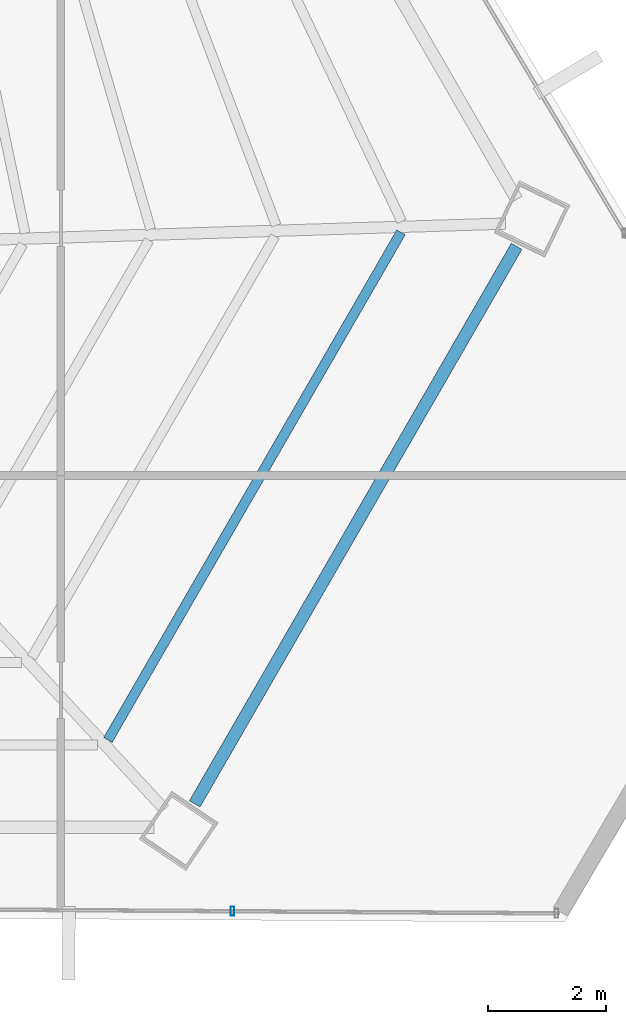
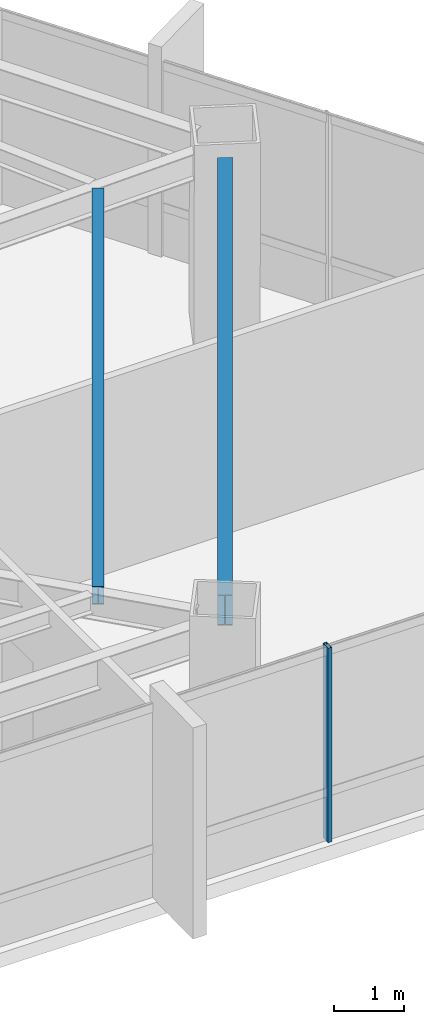
# One storey, part 18 of 41: 2 beams, 1 member, 1 element without a shape of its own.
"""IFC4 building model written with IfcOpenShell, lengths in metres."""

from ifc_helpers import new_model, si_unit, direction, frame, origin, origin_2d, place, context, subcontext, project, spatial, hollow_rectangle, i_section, extrude, source, transform, mapped, material, material_profile, profile_set, type_object, type_shapes, element, aggregate, save


model = new_model("IFC4")

# Units and contexts
model_context = context("Model", 3, precision=1e-05, world=origin(), true_north=direction((0.0, 1.0)))
body_context = subcontext(model_context, "Body", "Model", "MODEL_VIEW")
ifc_project = project(units=[si_unit("LENGTHUNIT", "METRE"), si_unit("AREAUNIT", "SQUARE_METRE"), si_unit("VOLUMEUNIT", "CUBIC_METRE"), si_unit("PLANEANGLEUNIT", "RADIAN"), si_unit("MASSUNIT", "GRAM", prefix="KILO")], contexts=[model_context])

# Site, building, storey
site_placement = place(None, origin())
site = spatial("IfcSite", under=ifc_project, at=site_placement, CompositionType="ELEMENT")
building_placement = place(site_placement, origin())
building = spatial("IfcBuilding", under=site, at=building_placement, Name="Caelisora Broadcast Tower", CompositionType="ELEMENT")
storey_placement = place(building_placement, frame((0.0, 0.0, 165.800048828125)))
storey = spatial("IfcBuildingStorey", under=building, at=storey_placement, Name="L43", CompositionType="ELEMENT", Elevation=165.800048828125)

# Beams
ifc_material_1 = material(Name="Steel Grade 350 (AS/NZS 3679.1)", Category="steel")
ifc_material_profile_1 = material_profile(ifc_material_1, i_section(OverallWidth=0.208984375, OverallDepth=0.532958984375, WebThickness=0.01025390625, FlangeThickness=0.015625, at=origin_2d()), Name="Steel Grade 350 (AS/NZS 3679.1)")
ifc_profile_set_1 = profile_set([ifc_material_profile_1], Name="Steel Grade 350 (AS/NZS 3679.1)")
beam_type_1 = type_object("IfcBeamType", Name="PG05", PredefinedType="BEAM", material=ifc_profile_set_1)
shared_shape_1 = source(origin(), body_context, "Body", "SweptSolid", [
    extrude(i_section(OverallWidth=0.208984375, OverallDepth=0.532958984375, WebThickness=0.01025390625, FlangeThickness=0.015625, at=origin_2d()), origin(), (0.0, 0.0, 1.0), 10.926025390625),
])
type_shapes(beam_type_1, [shared_shape_1])
beam_1_placement = place(storey_placement, frame((54.772705078125, 8.008056640625, 3.133544921875), z_axis=(0.500010652036, 0.866019253741, 0.0), x_axis=(-0.866019253741, 0.500010652036, 0.0)))
element("IfcBeam", 1, at=beam_1_placement, inside=storey, type_object=beam_type_1, Name="L43 beam PG05", PredefinedType="BEAM", context=body_context, shape_type="MappedRepresentation", body=[
    mapped(shared_shape_1, transform((0.0, 0.0, 0.0), scale=1.0)),
])
ifc_material_profile_2 = material_profile(ifc_material_1, i_section(OverallWidth=0.166015625, OverallDepth=0.30712890625, WebThickness=0.006591796875, FlangeThickness=0.01171875, at=origin_2d()), Name="Steel Grade 350 (AS/NZS 3679.1)")
ifc_profile_set_2 = profile_set([ifc_material_profile_2], Name="Steel Grade 350 (AS/NZS 3679.1)")
beam_type_2 = type_object("IfcBeamType", Name="SB03", PredefinedType="JOIST", material=ifc_profile_set_2)
shared_shape_2 = source(origin(), body_context, "Body", "SweptSolid", [
    extrude(i_section(OverallWidth=0.166015625, OverallDepth=0.30712890625, WebThickness=0.006591796875, FlangeThickness=0.01171875, at=origin_2d()), origin(), (0.0, 0.0, 1.0), 9.947509765625),
])
type_shapes(beam_type_2, [shared_shape_2])
beam_2_placement = place(storey_placement, frame((53.299560546875, 9.09228515625, 3.246337890625), z_axis=(0.49999297576, 0.866029459193, 0.0), x_axis=(-0.866029459193, 0.49999297576, 0.0)))
element("IfcBeam", 2, at=beam_2_placement, inside=storey, type_object=beam_type_2, Name="L43 beam SB03", PredefinedType="JOIST", context=body_context, shape_type="MappedRepresentation", body=[
    mapped(shared_shape_2, transform((0.0, 0.0, 0.0), scale=1.0)),
])

# Curtain wall, member
ifc_material_2 = material(Name="Unitised Aluminium and Low-E Glass Curtain Wall", Category="glass")
curtain_wall_type = type_object("IfcCurtainWallType", Name="CW-Z3", PredefinedType="NOTDEFINED", material=ifc_material_2)
curtain_wall_placement = place(storey_placement, origin())
curtain_wall = element("IfcCurtainWall", 3, at=curtain_wall_placement, inside=storey, type_object=curtain_wall_type, Name="L43 curtain wall CW-Z3", PredefinedType="NOTDEFINED")
ifc_material_3 = material(Name="Aluminium 6063-T6 Anodised Terracotta Bronze", Category="aluminium")
ifc_material_profile_3 = material_profile(ifc_material_3, hollow_rectangle(XDim=0.06005859375, YDim=0.14990234375, WallThickness=0.00341796875, at=origin_2d()), Name="Aluminium 6063-T6 Anodised Terracotta Bronze")
ifc_profile_set_3 = profile_set([ifc_material_profile_3], Name="Aluminium 6063-T6 Anodised Terracotta Bronze")
member_type = type_object("IfcMemberType", Name="CWM-03", PredefinedType="MULLION", material=ifc_profile_set_3)
shared_shape_3 = source(origin(), body_context, "Body", "SweptSolid", [
    extrude(hollow_rectangle(XDim=0.06005859375, YDim=0.14990234375, WallThickness=0.00341796875, at=origin_2d()), origin(), (0.0, 0.0, 1.0), 3.39990234375),
])
type_shapes(member_type, [shared_shape_3])
member_placement = place(storey_placement, frame((55.413818359375, 6.1875, 0.0), z_axis=(0.0, 0.0, 1.0), x_axis=(1.0, 0.0, 0.0)))
member = element("IfcMember", 4, at=member_placement, type_object=member_type, Name="L43-CW-B05 mullion #1", PredefinedType="MULLION", context=body_context, shape_type="MappedRepresentation", body=[
    mapped(shared_shape_3, transform((0.0, 0.0, 0.0), scale=1.0)),
])
aggregate(curtain_wall, [member])

save(model, "model.ifc")
